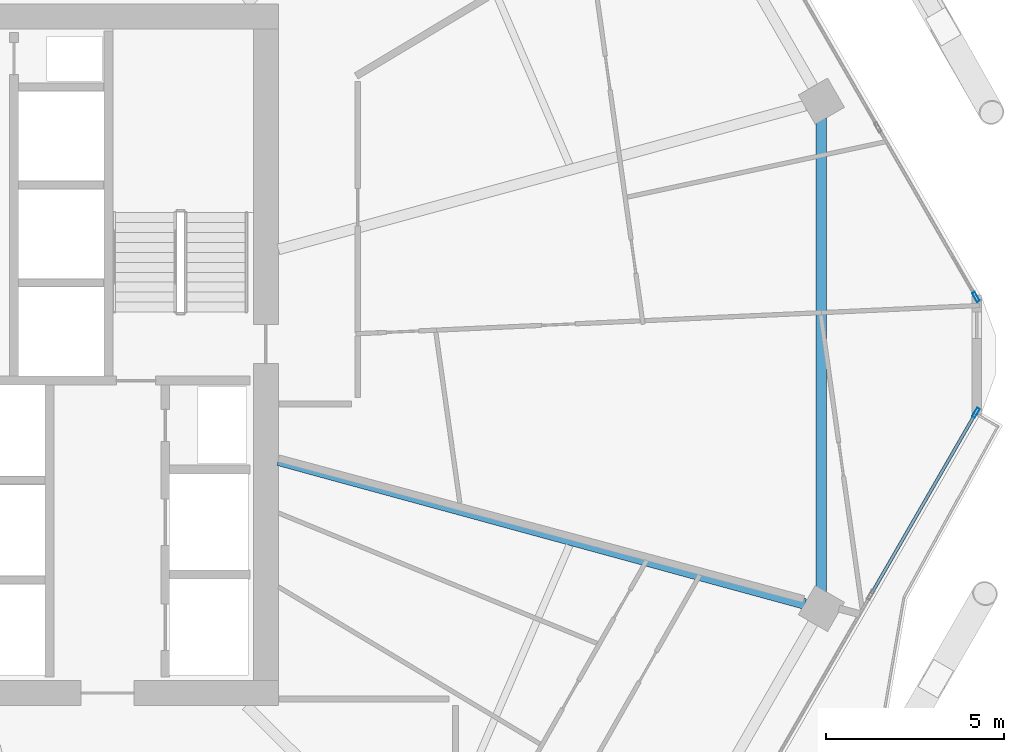
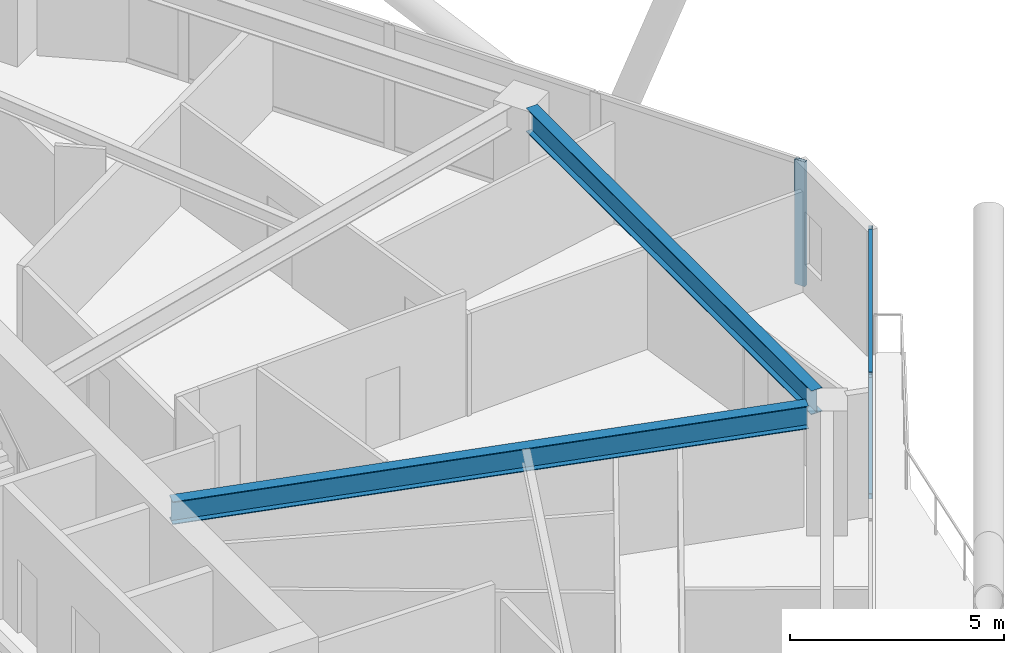
# One storey, part 9 of 28: 4 members, 2 beams, 2 elements without a shape of their own.
"""IFC4 building model written with IfcOpenShell, lengths in metres."""

from ifc_helpers import new_model, si_unit, direction, frame, origin, origin_2d, place, context, subcontext, project, spatial, hollow_rectangle, i_section, extrude, material, material_profile, profile_set, type_object, element, aggregate, save


model = new_model("IFC4")

# Units and contexts
model_context = context("Model", 3, precision=1e-05, world=origin(), true_north=direction((0.0, 1.0)))
body_context = subcontext(model_context, "Body", "Model", "MODEL_VIEW")
ifc_project = project(units=[si_unit("LENGTHUNIT", "METRE"), si_unit("AREAUNIT", "SQUARE_METRE"), si_unit("VOLUMEUNIT", "CUBIC_METRE"), si_unit("PLANEANGLEUNIT", "RADIAN"), si_unit("MASSUNIT", "GRAM", prefix="KILO")], contexts=[model_context])

# Site, building, storey
site_placement = place(None, origin())
site = spatial("IfcSite", under=ifc_project, at=site_placement, CompositionType="ELEMENT")
building_placement = place(site_placement, origin())
building = spatial("IfcBuilding", under=site, at=building_placement, Name="Zuhravey Tower", CompositionType="ELEMENT")
storey_placement = place(building_placement, frame((0.0, 0.0, 199.800048828125)))
storey = spatial("IfcBuildingStorey", under=building, at=storey_placement, Name="L50", CompositionType="ELEMENT", Elevation=199.800048828125)

# Curtain wall, member
ifc_material_1 = material(Name="Thermally broken anodised aluminium", Category="aluminium")
curtain_wall_type = type_object("IfcCurtainWallType", Name="Zone 1-2 Residential Curtain Wall CW3", PredefinedType="NOTDEFINED", material=ifc_material_1)
curtain_wall_1_placement = place(storey_placement, origin())
curtain_wall_1 = element("IfcCurtainWall", 1, at=curtain_wall_1_placement, inside=storey, type_object=curtain_wall_type, Name="L50 CW3 CW-L50-F6-1", PredefinedType="NOTDEFINED")
ifc_material_2 = material(Name="Anodised aluminium", Category="aluminium")
ifc_material_profile_1 = material_profile(ifc_material_2, hollow_rectangle(XDim=0.090087890625, YDim=0.284912109375, WallThickness=0.0048828125, at=origin_2d()), Name="ALU-RHS-90x285x5")
ifc_profile_set_1 = profile_set([ifc_material_profile_1], Name="Anodised aluminium")
member_type_1 = type_object("IfcMemberType", Name="Curtain-Wall Mullion 90x180", PredefinedType="MULLION", material=ifc_profile_set_1)
member_1_placement = place(storey_placement, frame((66.44921875, 30.37353515625, 0.0), z_axis=(0.0, 0.0, 1.0), x_axis=(0.866025255938, -0.500000256078, 0.0)))
member_1 = element("IfcMember", 2, at=member_1_placement, type_object=member_type_1, Name="CW3 mullion 1", PredefinedType="MULLION", context=body_context, shape_type="SweptSolid", body=[
    extrude(hollow_rectangle(XDim=0.090087890625, YDim=0.284912109375, WallThickness=0.0048828125, at=origin_2d()), origin(), (0.0, 0.0, 1.0), 3.550048828125),
])

curtain_wall_2_placement = place(storey_placement, origin())
curtain_wall_2 = element("IfcCurtainWall", 3, at=curtain_wall_2_placement, inside=storey, type_object=curtain_wall_type, Name="L50 CW3 CW-L50-F1-1", PredefinedType="NOTDEFINED")
member_2_placement = place(storey_placement, frame((66.44921875, 33.62646484375, 0.0), z_axis=(0.0, 0.0, 1.0), x_axis=(0.866025138215, 0.500000459979, 0.0)))
member_2 = element("IfcMember", 4, at=member_2_placement, type_object=member_type_1, Name="CW3 mullion 6", PredefinedType="MULLION", context=body_context, shape_type="SweptSolid", body=[
    extrude(hollow_rectangle(XDim=0.090087890625, YDim=0.284912109375, WallThickness=0.0048828125, at=origin_2d()), origin(), (0.0, 0.0, 1.0), 3.550048828125),
])
aggregate(curtain_wall_2, [member_2])

# Member
ifc_material_profile_2 = material_profile(ifc_material_2, hollow_rectangle(XDim=0.090087890625, YDim=0.14990234375, WallThickness=0.0048828125, at=origin_2d()), Name="ALU-RHS-90x150x5")
ifc_profile_set_2 = profile_set([ifc_material_profile_2], Name="Anodised aluminium")
member_type_2 = type_object("IfcMemberType", Name="Curtain-Wall Transom 90x150", PredefinedType="USERDEFINED", material=ifc_profile_set_2)
member_3_placement = place(storey_placement, frame((66.4267578125, 30.33447265625, 0.044921875), z_axis=(-0.500004390421, -0.866022868959, 0.0), x_axis=(0.866022868959, -0.500004390421, 0.0)))
member_3 = element("IfcMember", 5, at=member_3_placement, type_object=member_type_2, Name="CW3 transom 1.1", ObjectType="TRANSOM", PredefinedType="USERDEFINED", context=body_context, shape_type="SweptSolid", body=[
    extrude(hollow_rectangle(XDim=0.090087890625, YDim=0.14990234375, WallThickness=0.0048828125, at=origin_2d()), origin(), (0.0, 0.0, 1.0), 5.82177734375),
])

member_4_placement = place(storey_placement, frame((66.4267578125, 30.33447265625, 3.5048828125), z_axis=(-0.500004390421, -0.866022868959, 0.0), x_axis=(0.866022868959, -0.500004390421, 0.0)))
member_4 = element("IfcMember", 6, at=member_4_placement, type_object=member_type_2, Name="CW3 transom 1.2", ObjectType="TRANSOM", PredefinedType="USERDEFINED", context=body_context, shape_type="SweptSolid", body=[
    extrude(hollow_rectangle(XDim=0.090087890625, YDim=0.14990234375, WallThickness=0.0048828125, at=origin_2d()), origin(), (0.0, 0.0, 1.0), 5.82177734375),
])

aggregate(curtain_wall_1, [member_1, member_3, member_4])

# Beams
ifc_material_3 = material(Name="Steel SM355", Category="steel")
ifc_material_profile_3 = material_profile(ifc_material_3, i_section(OverallWidth=0.300048828125, OverallDepth=0.679931640625, WebThickness=0.012939453125, FlangeThickness=0.02197265625, at=origin_2d()), Name="H-680x300x13x22")
ifc_profile_set_3 = profile_set([ifc_material_profile_3], Name="Steel SM355")
beam_type_1 = type_object("IfcBeamType", Name="Perimeter Ring Beam H680x300", PredefinedType="BEAM", material=ifc_profile_set_3)
beam_1_placement = place(storey_placement, frame((62.107666015625, 25.3515625, 3.2099609375), z_axis=(0.0, 1.0, 0.0), x_axis=(-1.0, 0.0, 0.0)))
element("IfcBeam", 7, at=beam_1_placement, inside=storey, type_object=beam_type_1, Name="L50 PB2 BM-L50-PB-12", PredefinedType="BEAM", context=body_context, shape_type="SweptSolid", body=[
    extrude(i_section(OverallWidth=0.300048828125, OverallDepth=0.679931640625, WebThickness=0.012939453125, FlangeThickness=0.02197265625, at=origin_2d()), origin(), (0.0, 0.0, 1.0), 13.296875),
])
ifc_material_profile_4 = material_profile(ifc_material_3, i_section(OverallWidth=0.300048828125, OverallDepth=0.64990234375, WebThickness=0.012939453125, FlangeThickness=0.02197265625, at=origin_2d()), Name="H-650x300x13x22")
ifc_profile_set_4 = profile_set([ifc_material_profile_4], Name="Steel SM355")
beam_type_2 = type_object("IfcBeamType", Name="Radial Primary Girder H650x300", PredefinedType="BEAM", material=ifc_profile_set_4)
beam_2_placement = place(storey_placement, frame((46.85302734375, 29.03759765625, 3.224853515625), z_axis=(0.964701703464, -0.263345065139, 0.0), x_axis=(0.263345065139, 0.964701703464, 0.0)))
element("IfcBeam", 8, at=beam_2_placement, inside=storey, type_object=beam_type_2, Name="L50 RG2 BM-L50-RAD-12", PredefinedType="BEAM", context=body_context, shape_type="SweptSolid", body=[
    extrude(i_section(OverallWidth=0.300048828125, OverallDepth=0.64990234375, WebThickness=0.012939453125, FlangeThickness=0.02197265625, at=origin_2d()), origin(), (0.0, 0.0, 1.0), 15.334716796875),
])

save(model, "model.ifc")
